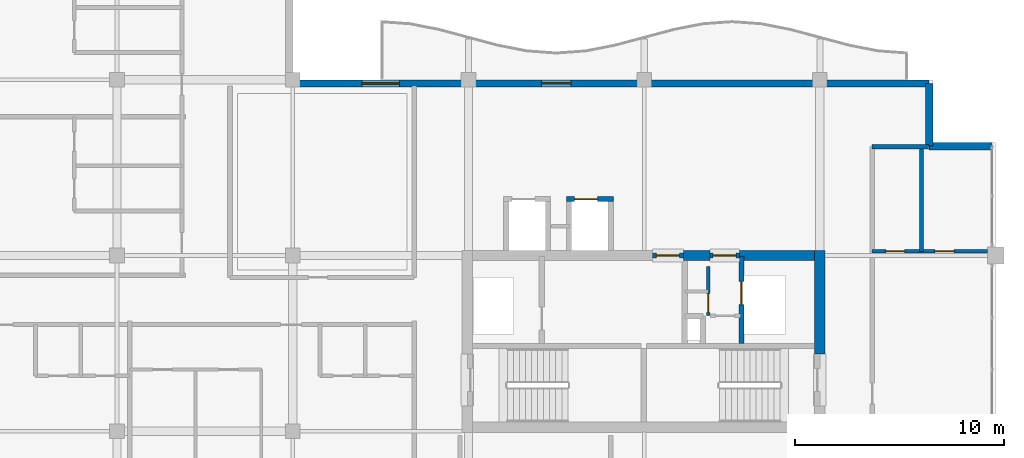
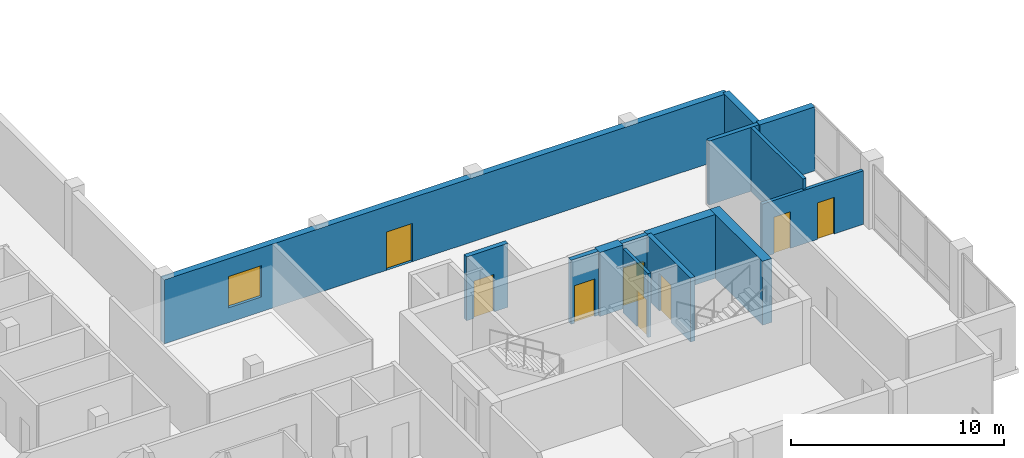
# One storey, part 8 of 15: 14 walls, 8 doors, 1 window, 9 openings.
"""IFC4 building model written with IfcOpenShell, lengths in metres."""

from ifc_helpers import new_model, si_unit, direction, frame, frame_2d, origin, place, context, subcontext, project, spatial, rectangle, extrude, material, layer, layer_set, type_object, element, fill, save


model = new_model("IFC4")

# Units and contexts
model_context = context("Model", 3, precision=1e-05, world=origin(), true_north=direction((0.0, 1.0)))
body_context = subcontext(model_context, "Body", "Model", "MODEL_VIEW")
ifc_project = project(units=[si_unit("LENGTHUNIT", "METRE"), si_unit("AREAUNIT", "SQUARE_METRE"), si_unit("VOLUMEUNIT", "CUBIC_METRE"), si_unit("PLANEANGLEUNIT", "RADIAN"), si_unit("MASSUNIT", "GRAM", prefix="KILO")], contexts=[model_context])

# Site, building, storey
site_placement = place(None, origin())
site = spatial("IfcSite", under=ifc_project, at=site_placement, CompositionType="ELEMENT")
building_placement = place(site_placement, origin())
building = spatial("IfcBuilding", under=site, at=building_placement, Name="Koriwani Terraces Tower", CompositionType="ELEMENT")
storey_placement = place(building_placement, frame((0.0, 0.0, 324.199951171875)))
storey = spatial("IfcBuildingStorey", under=building, at=storey_placement, Name="L80", CompositionType="ELEMENT", Elevation=324.199951171875)

# Walls
ifc_material_1 = material(Name="Concrete C50/60", Category="concrete")
ifc_layer_1 = layer(ifc_material_1, 0.5, Name="Concrete C50/60")
ifc_layer_set_1 = layer_set([ifc_layer_1], Name="Concrete C50/60")
wall_type_1 = type_object("IfcWallType", Name="WALL_CORE_RC_500", PredefinedType="SHEAR", material=ifc_layer_set_1)
wall_1_placement = place(storey_placement, frame((58.800048828125, 20.5, 0.0), z_axis=(0.0, 0.0, 1.0), x_axis=(0.0, 1.0, 0.0)))
element("IfcWall", 1, at=wall_1_placement, inside=storey, type_object=wall_type_1, Name="L80 East Split Core Shear Wall E2", PredefinedType="SHEAR", context=body_context, shape_type="SweptSolid", body=[
    extrude(rectangle(XDim=4.949951171875, YDim=0.5, at=frame_2d((2.47509765625, 0.0))), origin(), (0.0, 0.0, 1.0), 3.670166015625),
])
wall_2_placement = place(storey_placement, frame((52.280029296875, 25.199951171875, 0.0), z_axis=(0.0, 0.0, 1.0), x_axis=(1.0, 0.0, 0.0)))
element("IfcWall", 2, at=wall_2_placement, inside=storey, type_object=wall_type_1, Name="L80 East Split Core Shear Wall N2", PredefinedType="SHEAR", context=body_context, shape_type="SweptSolid", body=[
    extrude(rectangle(XDim=1.27001953125, YDim=0.5, at=frame_2d((0.635009765625, 0.0))), origin(), (0.0, 0.0, 1.0), 3.670166015625),
])
wall_3_placement = place(storey_placement, frame((54.949951171875, 25.199951171875, 0.0), z_axis=(0.0, 0.0, 1.0), x_axis=(1.0, 0.0, 0.0)))
element("IfcWall", 3, at=wall_3_placement, inside=storey, type_object=wall_type_1, Name="L80 East Split Core Shear Wall N3", PredefinedType="SHEAR", context=body_context, shape_type="SweptSolid", body=[
    extrude(rectangle(XDim=3.60009765625, YDim=0.5, at=frame_2d((1.800048828125, 0.0))), origin(), (0.0, 0.0, 1.0), 3.670166015625),
])
ifc_material_2 = material(Name="Autoclaved Cellular Concrete Blockwork", Category="masonry")
ifc_layer_2 = layer(ifc_material_2, 0.219970703125, Name="Autoclaved Cellular Concrete Blockwork")
ifc_layer_set_2 = layer_set([ifc_layer_2], Name="Autoclaved Cellular Concrete Blockwork")
wall_type_2 = type_object("IfcWallType", Name="WALL_DEMISING_220", PredefinedType="PARTITIONING", material=ifc_layer_set_2)
wall_4_placement = place(storey_placement, frame((61.300048828125, 30.39990234375, 0.0), z_axis=(0.0, 0.0, 1.0), x_axis=(1.0, 0.0, 0.0)))
element("IfcWall", 4, at=wall_4_placement, inside=storey, type_object=wall_type_2, Name="L80 Interior Wall WET-N-L80", PredefinedType="PARTITIONING", context=body_context, shape_type="SweptSolid", body=[
    extrude(rectangle(XDim=2.699951171875, YDim=0.219970703125, at=frame_2d((1.35009765625, 0.0))), origin(), (0.0, 0.0, 1.0), 3.670166015625),
])

# Wall, openings, door, window
ifc_layer_3 = layer(ifc_material_1, 0.35009765625, Name="Concrete C50/60")
ifc_layer_set_3 = layer_set([ifc_layer_3], Name="Concrete C50/60")
wall_type_3 = type_object("IfcWallType", Name="WALL_EXT_BRUTALIST_350", PredefinedType="STANDARD", material=ifc_layer_set_3)
wall_5_placement = place(storey_placement, frame((33.425048828125, 33.425048828125, 0.0), z_axis=(0.0, 0.0, 1.0), x_axis=(1.0, 0.0, 0.0)))
wall_5 = element("IfcWall", 5, at=wall_5_placement, inside=storey, type_object=wall_type_3, Name="L80 Fair-Faced Brutalist Exterior Wall (NE)", PredefinedType="STANDARD", context=body_context, shape_type="SweptSolid", body=[
    extrude(rectangle(XDim=30.599853515625, YDim=0.35009765625, at=frame_2d((15.2998046875, 0.0))), origin(), (0.0, 0.0, 1.0), 3.670166015625),
])
opening_1_placement = place(wall_5_placement, frame((12.074951171875, 0.0, 0.0)))
opening_1 = element("IfcOpeningElement", 6, at=opening_1_placement, cuts=wall_5, Name="Opening D-09", PredefinedType="OPENING", context=body_context, shape_type="SweptSolid", body=[
    extrude(rectangle(XDim=1.39990234375, YDim=2.199951171875, at=frame_2d((0.699951171875, 1.10009765625))), frame((0.0, 0.18505859375, 0.0), z_axis=(0.0, -1.0, 0.0), x_axis=(1.0, 0.0, 0.0)), (0.0, 0.0, 1.0), 0.3701171875),
])
opening_2_placement = place(wall_5_placement, frame((3.47509765625, 0.0, 0.85009765625)))
opening_2 = element("IfcOpeningElement", 7, at=opening_2_placement, cuts=wall_5, Name="Opening W-04", PredefinedType="OPENING", context=body_context, shape_type="SweptSolid", body=[
    extrude(rectangle(XDim=1.800048828125, YDim=1.800048828125, at=frame_2d((0.89990234375, 0.89990234375))), frame((0.0, 0.18505859375, 0.0), z_axis=(0.0, -1.0, 0.0), x_axis=(1.0, 0.0, 0.0)), (0.0, 0.0, 1.0), 0.3701171875),
])
ifc_material_3 = material(Name="Anodised Bronze Aluminium", Category="aluminium")
door_type_1 = type_object("IfcDoorType", Name="DOOR_BALCONY_GLAZED_1400X2200", OperationType="NOTDEFINED", PredefinedType="DOOR", material=ifc_material_3)
door_1_placement = place(opening_1_placement, origin())
door_1 = element("IfcDoor", 8, at=door_1_placement, inside=storey, type_object=door_type_1, Name="L80 Inner Court Balcony Glazed Door", OperationType="SINGLE_SWING_LEFT", OverallHeight=2.199951171875, OverallWidth=1.39990234375, PredefinedType="DOOR", context=body_context, shape_type="SweptSolid", body=[
    extrude(rectangle(XDim=1.39990234375, YDim=2.199951171875, at=frame_2d((0.699951171875, 1.10009765625))), frame((0.0, 0.02490234375, 0.0), z_axis=(0.0, -1.0, 0.0), x_axis=(1.0, 0.0, 0.0)), (0.0, 0.0, 1.0), 0.050048828125),
])
fill(opening_1, door_1)
ifc_material_4 = material(Name="Tempered Laminated Low-E Glass", Category="glass")
window_type = type_object("IfcWindowType", Name="WIN_RES_BED_1800X1800", PartitioningType="DOUBLE_PANEL_VERTICAL", PredefinedType="WINDOW", material=ifc_material_4)
window_placement = place(opening_2_placement, origin())
window = element("IfcWindow", 9, at=window_placement, inside=storey, type_object=window_type, Name="L80 Exterior Window (NE-2)", OverallHeight=1.800048828125, OverallWidth=1.800048828125, PartitioningType="SINGLE_PANEL", PredefinedType="WINDOW", context=body_context, shape_type="SweptSolid", body=[
    extrude(rectangle(XDim=1.800048828125, YDim=1.800048828125, at=frame_2d((0.89990234375, 0.89990234375))), frame((0.0, 0.030029296875, 0.0), z_axis=(0.0, -1.0, 0.0), x_axis=(1.0, 0.0, 0.0)), (0.0, 0.0, 1.0), 0.06005859375),
])
fill(opening_2, window)

# Walls
for number, where, z_axis, x_axis, name in (
    (10, (64.02490234375, 33.425048828125, 0.0), (0.0, 0.0, 1.0), (0.0, -1.0, 0.0), "L80 Fair-Faced Brutalist Exterior Wall (N10)"),
    (11, (64.02490234375, 30.425048828125, 0.0), (0.0, 0.0, 1.0), (1.0, 0.0, 0.0), "L80 Fair-Faced Brutalist Exterior Wall (N11)"),
):
    element("IfcWall", number, at=place(storey_placement, frame(where, z_axis=z_axis, x_axis=x_axis)), inside=storey, type_object=wall_type_3, Name=name, PredefinedType="STANDARD", context=body_context, shape_type="SweptSolid", body=[
        extrude(rectangle(XDim=3.0, YDim=0.35009765625, at=frame_2d((1.5, 0.0))), origin(), (0.0, 0.0, 1.0), 3.670166015625),
    ])

# Wall, openings, doors
ifc_material_5 = material(Name="Fire-Rated Acoustic Gypsum Partition", Category="masonry")
ifc_layer_4 = layer(ifc_material_5, 0.179931640625, Name="Fire-Rated Acoustic Gypsum Partition")
ifc_layer_set_4 = layer_set([ifc_layer_4], Name="Fire-Rated Acoustic Gypsum Partition")
wall_type_4 = type_object("IfcWallType", Name="WALL_PLUMBING_180", PredefinedType="PLUMBINGWALL", material=ifc_layer_set_4)
wall_6_placement = place(storey_placement, frame((61.300048828125, 25.39990234375, 0.0), z_axis=(0.0, 0.0, 1.0), x_axis=(1.0, 0.0, 0.0)))
wall_6 = element("IfcWall", 12, at=wall_6_placement, inside=storey, type_object=wall_type_4, Name="L80 Interior Wall WET-SVB-L80", PredefinedType="PLUMBINGWALL", context=body_context, shape_type="SweptSolid", body=[
    extrude(rectangle(XDim=5.5, YDim=0.179931640625, at=frame_2d((2.75, 0.0))), origin(), (0.0, 0.0, 1.0), 3.070068359375),
])
opening_3_placement = place(wall_6_placement, frame((0.64990234375, 0.0, 0.0)))
opening_3 = element("IfcOpeningElement", 13, at=opening_3_placement, cuts=wall_6, Name="Opening D-07", PredefinedType="OPENING", context=body_context, shape_type="SweptSolid", body=[
    extrude(rectangle(XDim=0.89990234375, YDim=2.10009765625, at=frame_2d((0.449951171875, 1.050048828125))), frame((0.0, 0.10009765625, 0.0), z_axis=(0.0, -1.0, 0.0), x_axis=(1.0, 0.0, 0.0)), (0.0, 0.0, 1.0), 0.199951171875),
])
opening_4_placement = place(wall_6_placement, frame((3.0, 0.0, 0.0)))
opening_4 = element("IfcOpeningElement", 14, at=opening_4_placement, cuts=wall_6, Name="Opening D-06", PredefinedType="OPENING", context=body_context, shape_type="SweptSolid", body=[
    extrude(rectangle(XDim=0.919921875, YDim=2.10009765625, at=frame_2d((0.4599609375, 1.050048828125))), frame((0.0, 0.10009765625, 0.0), z_axis=(0.0, -1.0, 0.0), x_axis=(1.0, 0.0, 0.0)), (0.0, 0.0, 1.0), 0.199951171875),
])
ifc_material_6 = material(Name="Architectural Oak Fire Door", Category="wood")
door_type_2 = type_object("IfcDoorType", Name="DOOR_BATH_INT_900X2100", OperationType="NOTDEFINED", PredefinedType="DOOR", material=ifc_material_6)
door_2_placement = place(opening_3_placement, origin())
door_2 = element("IfcDoor", 15, at=door_2_placement, inside=storey, type_object=door_type_2, Name="Apartment 80ET Bathroom Door", OperationType="SINGLE_SWING_LEFT", OverallHeight=2.10009765625, OverallWidth=0.89990234375, PredefinedType="DOOR", context=body_context, shape_type="SweptSolid", body=[
    extrude(rectangle(XDim=0.89990234375, YDim=2.10009765625, at=frame_2d((0.449951171875, 1.050048828125))), frame((0.0, 0.02490234375, 0.0), z_axis=(0.0, -1.0, 0.0), x_axis=(1.0, 0.0, 0.0)), (0.0, 0.0, 1.0), 0.050048828125),
])
fill(opening_3, door_2)
door_type_3 = type_object("IfcDoorType", Name="DOOR_ROOM_INT_920X2100", OperationType="NOTDEFINED", PredefinedType="DOOR", material=ifc_material_6)
door_3_placement = place(opening_4_placement, origin())
door_3 = element("IfcDoor", 16, at=door_3_placement, inside=storey, type_object=door_type_3, Name="Apartment 80ET Kitchen Door", OperationType="SINGLE_SWING_RIGHT", OverallHeight=2.10009765625, OverallWidth=0.919921875, PredefinedType="DOOR", context=body_context, shape_type="SweptSolid", body=[
    extrude(rectangle(XDim=0.919921875, YDim=2.10009765625, at=frame_2d((0.4599609375, 1.050048828125))), frame((0.0, 0.02490234375, 0.0), z_axis=(0.0, -1.0, 0.0), x_axis=(1.0, 0.0, 0.0)), (0.0, 0.0, 1.0), 0.050048828125),
])
fill(opening_4, door_3)

# Wall
wall_7_placement = place(storey_placement, frame((63.64990234375, 25.39990234375, 0.0), z_axis=(0.0, 0.0, 1.0), x_axis=(0.0, 1.0, 0.0)))
element("IfcWall", 17, at=wall_7_placement, inside=storey, type_object=wall_type_4, Name="L80 Interior Wall WET-SVCM-L80", PredefinedType="PLUMBINGWALL", context=body_context, shape_type="SweptSolid", body=[
    extrude(rectangle(XDim=5.0, YDim=0.179931640625, at=frame_2d((2.5, 0.0))), origin(), (0.0, 0.0, 1.0), 3.670166015625),
])

# Wall, opening, door
ifc_material_7 = material(Name="Concrete C40/50", Category="concrete")
ifc_layer_5 = layer(ifc_material_7, 0.25, Name="Concrete C40/50")
ifc_layer_set_5 = layer_set([ifc_layer_5], Name="Concrete C40/50")
wall_type_5 = type_object("IfcWallType", Name="WALL_SHAFT_RATED_250", PredefinedType="SOLIDWALL", material=ifc_layer_set_5)
wall_8_placement = place(storey_placement, frame((50.800048828125, 25.199951171875, 0.0), z_axis=(0.0, 0.0, 1.0), x_axis=(1.0, 0.0, 0.0)))
wall_8 = element("IfcWall", 18, at=wall_8_placement, inside=storey, type_object=wall_type_5, Name="L80 Interior Wall WIN-CE-L80-NP", PredefinedType="SOLIDWALL", context=body_context, shape_type="SweptSolid", body=[
    extrude(rectangle(XDim=1.47998046875, YDim=0.25, at=frame_2d((0.739990234375, 0.0))), origin(), (0.0, 0.0, 1.0), 3.670166015625),
])
opening_5_placement = place(wall_8_placement, frame((0.179931640625, 0.0, 0.0)))
opening_5 = element("IfcOpeningElement", 19, at=opening_5_placement, cuts=wall_8, Name="Opening D-03", PredefinedType="OPENING", context=body_context, shape_type="SweptSolid", body=[
    extrude(rectangle(XDim=1.10009765625, YDim=2.14990234375, at=frame_2d((0.550048828125, 1.074951171875))), frame((0.0, 0.135009765625, 0.0), z_axis=(0.0, -1.0, 0.0), x_axis=(1.0, 0.0, 0.0)), (0.0, 0.0, 1.0), 0.27001953125),
])
ifc_material_8 = material(Name="Steel ASTM A572 Grade 50", Category="steel")
door_type_4 = type_object("IfcDoorType", Name="DOOR_STAIR_FIRE_1100X2150", OperationType="NOTDEFINED", PredefinedType="DOOR", material=ifc_material_8)
door_4_placement = place(opening_5_placement, origin())
door_4 = element("IfcDoor", 20, at=door_4_placement, inside=storey, type_object=door_type_4, Name="L80 East Firefighting Lobby Door", OperationType="SINGLE_SWING_LEFT", OverallHeight=2.14990234375, OverallWidth=1.10009765625, PredefinedType="DOOR", context=body_context, shape_type="SweptSolid", body=[
    extrude(rectangle(XDim=1.10009765625, YDim=2.14990234375, at=frame_2d((0.550048828125, 1.074951171875))), frame((0.0, 0.02490234375, 0.0), z_axis=(0.0, -1.0, 0.0), x_axis=(1.0, 0.0, 0.0)), (0.0, 0.0, 1.0), 0.050048828125),
])
fill(opening_5, door_4)

wall_9_placement = place(storey_placement, frame((55.050048828125, 21.0, 0.0), z_axis=(0.0, 0.0, 1.0), x_axis=(0.0, 1.0, 0.0)))
wall_9 = element("IfcWall", 21, at=wall_9_placement, inside=storey, type_object=wall_type_5, Name="L80 Interior Wall WIN-CE-L80-SE", PredefinedType="SOLIDWALL", context=body_context, shape_type="SweptSolid", body=[
    extrude(rectangle(XDim=4.14990234375, YDim=0.25, at=frame_2d((2.074951171875, 0.0))), origin(), (0.0, 0.0, 1.0), 3.670166015625),
])
opening_6_placement = place(wall_9_placement, frame((1.85009765625, 0.0, 0.0)))
opening_6 = element("IfcOpeningElement", 22, at=opening_6_placement, cuts=wall_9, Name="Opening LD-01", PredefinedType="OPENING", context=body_context, shape_type="SweptSolid", body=[
    extrude(rectangle(XDim=1.10009765625, YDim=2.14990234375, at=frame_2d((0.550048828125, 1.074951171875))), frame((0.0, 0.135009765625, 0.0), z_axis=(0.0, -1.0, 0.0), x_axis=(1.0, 0.0, 0.0)), (0.0, 0.0, 1.0), 0.27001953125),
])
door_type_5 = type_object("IfcDoorType", Name="DOOR_LIFT_LANDING_1100X2200", OperationType="NOTDEFINED", PredefinedType="DOOR", material=ifc_material_8)
door_5_placement = place(opening_6_placement, origin())
door_5 = element("IfcDoor", 23, at=door_5_placement, inside=storey, type_object=door_type_5, Name="L80 Goods Lift SE-02 Landing Door", OperationType="SLIDING_TO_LEFT", OverallHeight=2.14990234375, OverallWidth=1.10009765625, PredefinedType="DOOR", context=body_context, shape_type="SweptSolid", body=[
    extrude(rectangle(XDim=1.10009765625, YDim=2.14990234375, at=frame_2d((0.550048828125, 1.074951171875))), frame((0.0, 0.02490234375, 0.0), z_axis=(0.0, -1.0, 0.0), x_axis=(1.0, 0.0, 0.0)), (0.0, 0.0, 1.0), 0.050048828125),
])
fill(opening_6, door_5)

wall_10_placement = place(storey_placement, frame((53.550048828125, 25.199951171875, 0.0), z_axis=(0.0, 0.0, 1.0), x_axis=(1.0, 0.0, 0.0)))
wall_10 = element("IfcWall", 24, at=wall_10_placement, inside=storey, type_object=wall_type_5, Name="L80 Interior Wall WIN-CE-L80-NP2", PredefinedType="SOLIDWALL", context=body_context, shape_type="SweptSolid", body=[
    extrude(rectangle(XDim=1.39990234375, YDim=0.25, at=frame_2d((0.699951171875, 0.0))), origin(), (0.0, 0.0, 1.0), 3.670166015625),
])
opening_7_placement = place(wall_10_placement, frame((0.14990234375, 0.0, 0.0)))
opening_7 = element("IfcOpeningElement", 25, at=opening_7_placement, cuts=wall_10, Name="Opening D-03", PredefinedType="OPENING", context=body_context, shape_type="SweptSolid", body=[
    extrude(rectangle(XDim=1.10009765625, YDim=2.14990234375, at=frame_2d((0.550048828125, 1.074951171875))), frame((0.0, 0.135009765625, 0.0), z_axis=(0.0, -1.0, 0.0), x_axis=(1.0, 0.0, 0.0)), (0.0, 0.0, 1.0), 0.27001953125),
])
door_6_placement = place(opening_7_placement, origin())
door_6 = element("IfcDoor", 26, at=door_6_placement, inside=storey, type_object=door_type_4, Name="L80 East Goods Lift Lobby Door", OperationType="SINGLE_SWING_RIGHT", OverallHeight=2.14990234375, OverallWidth=1.10009765625, PredefinedType="DOOR", context=body_context, shape_type="SweptSolid", body=[
    extrude(rectangle(XDim=1.10009765625, YDim=2.14990234375, at=frame_2d((0.550048828125, 1.074951171875))), frame((0.0, 0.02490234375, 0.0), z_axis=(0.0, -1.0, 0.0), x_axis=(1.0, 0.0, 0.0)), (0.0, 0.0, 1.0), 0.050048828125),
])
fill(opening_7, door_6)

wall_11_placement = place(storey_placement, frame((46.675048828125, 27.89990234375, 0.0), z_axis=(0.0, 0.0, 1.0), x_axis=(1.0, 0.0, 0.0)))
wall_11 = element("IfcWall", 27, at=wall_11_placement, inside=storey, type_object=wall_type_5, Name="L80 Interior Wall WIN-LF-PE-H4-L80-F", PredefinedType="SOLIDWALL", context=body_context, shape_type="SweptSolid", body=[
    extrude(rectangle(XDim=2.25, YDim=0.25, at=frame_2d((1.125, 0.0))), origin(), (0.0, 0.0, 1.0), 3.670166015625),
])
opening_8_placement = place(wall_11_placement, frame((0.39990234375, 0.0, 0.0)))
opening_8 = element("IfcOpeningElement", 28, at=opening_8_placement, cuts=wall_11, Name="Opening LD-01", PredefinedType="OPENING", context=body_context, shape_type="SweptSolid", body=[
    extrude(rectangle(XDim=1.10009765625, YDim=2.14990234375, at=frame_2d((0.550048828125, 1.074951171875))), frame((0.0, 0.135009765625, 0.0), z_axis=(0.0, -1.0, 0.0), x_axis=(1.0, 0.0, 0.0)), (0.0, 0.0, 1.0), 0.27001953125),
])
door_7_placement = place(opening_8_placement, origin())
door_7 = element("IfcDoor", 29, at=door_7_placement, inside=storey, type_object=door_type_5, Name="L80 Passenger Lift PE-H4 Landing Door", OperationType="SLIDING_TO_LEFT", OverallHeight=2.14990234375, OverallWidth=1.10009765625, PredefinedType="DOOR", context=body_context, shape_type="SweptSolid", body=[
    extrude(rectangle(XDim=1.10009765625, YDim=2.14990234375, at=frame_2d((0.550048828125, 1.074951171875))), frame((0.0, 0.02490234375, 0.0), z_axis=(0.0, -1.0, 0.0), x_axis=(1.0, 0.0, 0.0)), (0.0, 0.0, 1.0), 0.050048828125),
])
fill(opening_8, door_7)

ifc_layer_6 = layer(ifc_material_5, 0.159912109375, Name="Fire-Rated Acoustic Gypsum Partition")
ifc_layer_set_6 = layer_set([ifc_layer_6], Name="Fire-Rated Acoustic Gypsum Partition")
wall_type_6 = type_object("IfcWallType", Name="WALL_SUITE_160", PredefinedType="PARTITIONING", material=ifc_layer_set_6)
wall_12_placement = place(storey_placement, frame((53.4599609375, 22.320068359375, 0.0), z_axis=(0.0, 0.0, 1.0), x_axis=(0.0, 1.0, 0.0)))
wall_12 = element("IfcWall", 30, at=wall_12_placement, inside=storey, type_object=wall_type_6, Name="L80 Interior Wall WIN-CE-L80-SV2H", PredefinedType="PARTITIONING", context=body_context, shape_type="SweptSolid", body=[
    extrude(rectangle(XDim=2.35986328125, YDim=0.159912109375, at=frame_2d((1.179931640625, 0.0))), origin(), (0.0, 0.0, 1.0), 3.670166015625),
])
opening_9_placement = place(wall_12_placement, frame((0.159912109375, 0.0, 0.0)))
opening_9 = element("IfcOpeningElement", 31, at=opening_9_placement, cuts=wall_12, Name="Opening D-07", PredefinedType="OPENING", context=body_context, shape_type="SweptSolid", body=[
    extrude(rectangle(XDim=0.89990234375, YDim=2.10009765625, at=frame_2d((0.449951171875, 1.050048828125))), frame((0.0, 0.08984375, 0.0), z_axis=(0.0, -1.0, 0.0), x_axis=(1.0, 0.0, 0.0)), (0.0, 0.0, 1.0), 0.179931640625),
])
door_8_placement = place(opening_9_placement, origin())
door_8 = element("IfcDoor", 32, at=door_8_placement, inside=storey, type_object=door_type_2, Name="L80 East Valve Room Door", OperationType="SINGLE_SWING_RIGHT", OverallHeight=2.10009765625, OverallWidth=0.89990234375, PredefinedType="DOOR", context=body_context, shape_type="SweptSolid", body=[
    extrude(rectangle(XDim=0.89990234375, YDim=2.10009765625, at=frame_2d((0.449951171875, 1.050048828125))), frame((0.0, 0.02490234375, 0.0), z_axis=(0.0, -1.0, 0.0), x_axis=(1.0, 0.0, 0.0)), (0.0, 0.0, 1.0), 0.050048828125),
])
fill(opening_9, door_8)

save(model, "model.ifc")
